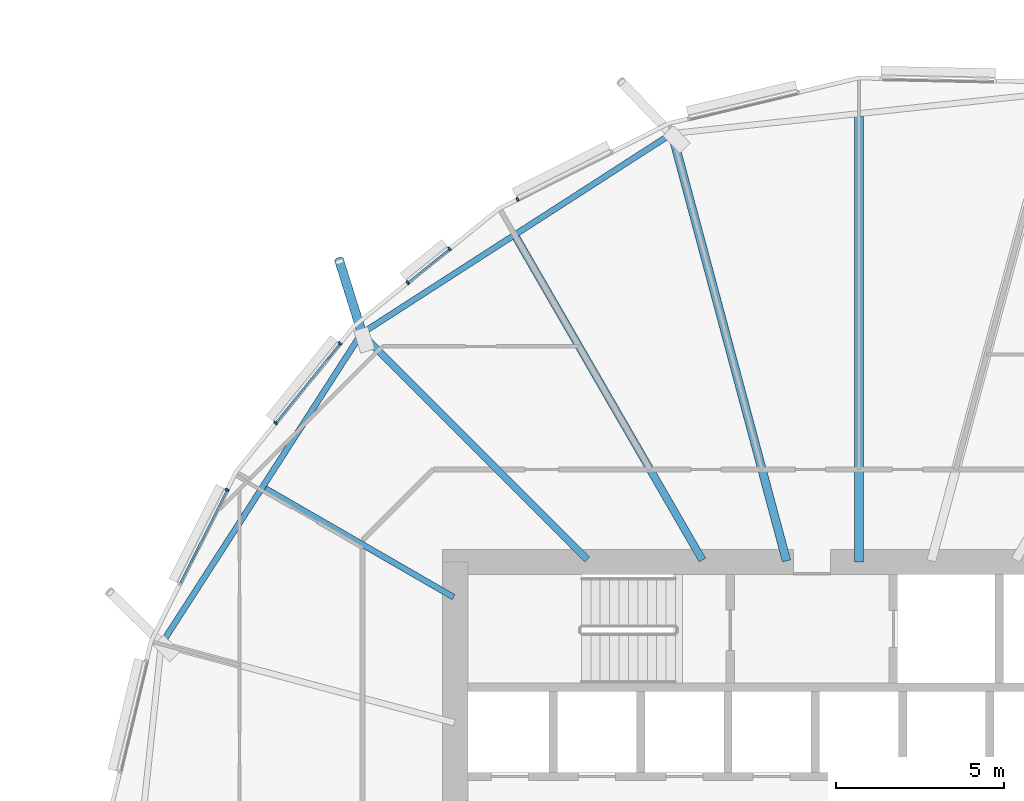
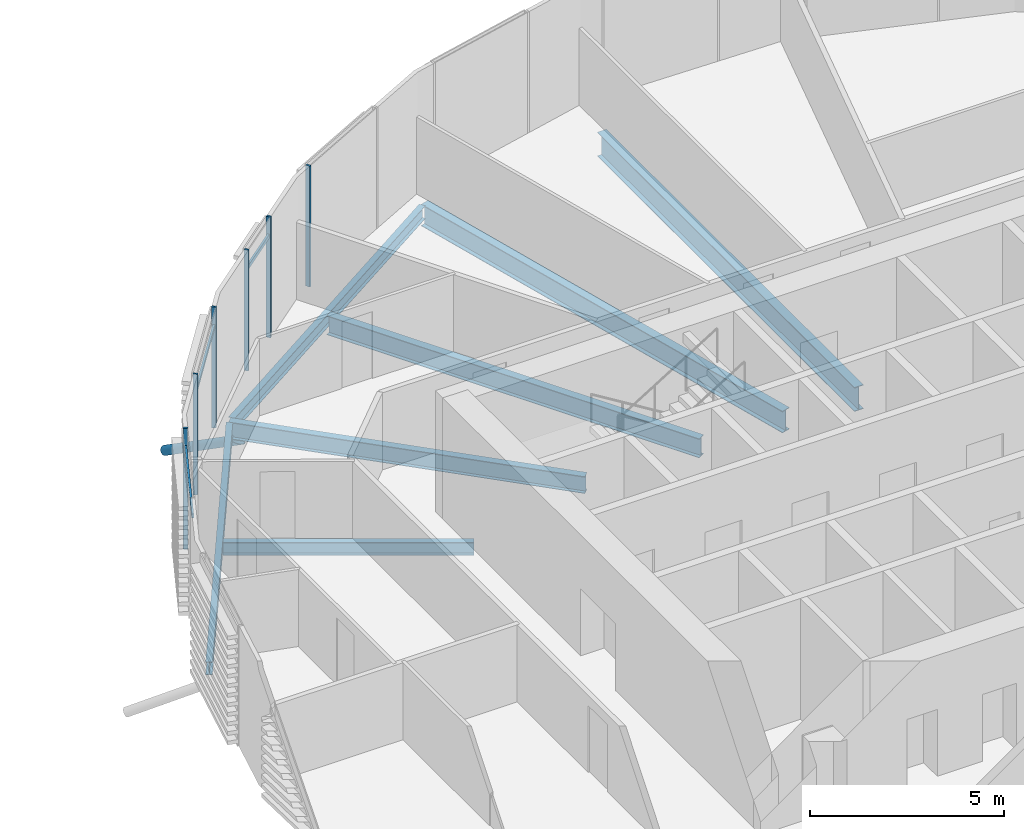
# One storey, part 17 of 43: 10 members, 7 beams, 1 element without a shape of its own.
"""IFC4 building model written with IfcOpenShell, lengths in metres."""

from ifc_helpers import new_model, si_unit, direction, frame, origin, origin_2d, place, context, subcontext, project, spatial, rectangle, hollow_circle, i_section, extrude, clip, halfspace, material, material_profile, profile_set, type_object, element, aggregate, save


model = new_model("IFC4")

# Units and contexts
model_context = context("Model", 3, precision=1e-05, world=origin(), true_north=direction((0.0, 1.0)))
body_context = subcontext(model_context, "Body", "Model", "MODEL_VIEW")
ifc_project = project(units=[si_unit("LENGTHUNIT", "METRE"), si_unit("AREAUNIT", "SQUARE_METRE"), si_unit("VOLUMEUNIT", "CUBIC_METRE"), si_unit("PLANEANGLEUNIT", "RADIAN"), si_unit("MASSUNIT", "GRAM", prefix="KILO")], contexts=[model_context])

# Site, building, storey
site_placement = place(None, origin())
site = spatial("IfcSite", under=ifc_project, at=site_placement, CompositionType="ELEMENT")
building_placement = place(site_placement, origin())
building = spatial("IfcBuilding", under=site, at=building_placement, Name="Rimbun Link Towers", CompositionType="ELEMENT")
storey_placement = place(building_placement, frame((0.0, 0.0, 81.60009765625)))
storey = spatial("IfcBuildingStorey", under=building, at=storey_placement, Name="L19", CompositionType="ELEMENT", Elevation=81.60009765625)

# Curtain wall, members
ifc_material_1 = material(Name="Aluminium 6063-T6 and low-iron glass", Category="aluminium")
curtain_wall_type = type_object("IfcCurtainWallType", Name="CW1-Z2 unitised vision wall (zone 2)", PredefinedType="NOTDEFINED", material=ifc_material_1)
curtain_wall_placement = place(storey_placement, origin())
curtain_wall = element("IfcCurtainWall", 1, at=curtain_wall_placement, inside=storey, type_object=curtain_wall_type, Name="CW1 L19 T2", PredefinedType="NOTDEFINED")
ifc_material_2 = material(Name="Aluminium 6063-T6", Category="aluminium")
ifc_material_profile_1 = material_profile(ifc_material_2, rectangle(XDim=0.1201171875, YDim=0.06005859375, at=origin_2d()), Name="MULLION 60X120")
ifc_profile_set_1 = profile_set([ifc_material_profile_1], Name="Aluminium 6063-T6")
member_type_1 = type_object("IfcMemberType", Name="CW1 mullion 60X120", PredefinedType="MULLION", material=ifc_profile_set_1)
member_1_placement = place(storey_placement, frame((21.603759765625, 18.779052734375, 0.0), z_axis=(0.0, 0.0, 1.0), x_axis=(-0.448789594585, 0.893637454336, 0.0)))
member_1 = element("IfcMember", 2, at=member_1_placement, type_object=member_type_1, Name="CW1 mullion", PredefinedType="MULLION", context=body_context, shape_type="SweptSolid", body=[
    extrude(rectangle(XDim=0.1201171875, YDim=0.06005859375, at=origin_2d()), origin(), (0.0, 0.0, 1.0), 3.7998046875),
])
member_2_placement = place(storey_placement, frame((18.339111328125, 16.302978515625, 0.0), z_axis=(0.0, 0.0, 1.0), x_axis=(-0.629159327388, 0.777276360608, 0.0)))
member_2 = element("IfcMember", 3, at=member_2_placement, type_object=member_type_1, Name="CW1 mullion", PredefinedType="MULLION", context=body_context, shape_type="SweptSolid", body=[
    extrude(rectangle(XDim=0.1201171875, YDim=0.06005859375, at=origin_2d()), origin(), (0.0, 0.0, 1.0), 3.7998046875),
])
member_3_placement = place(storey_placement, frame((19.579833984375, 17.307373046875, 0.0), z_axis=(0.0, 0.0, 1.0), x_axis=(-0.629159327388, 0.777276360608, 0.0)))
member_3 = element("IfcMember", 4, at=member_3_placement, type_object=member_type_1, Name="CW1 mullion", PredefinedType="MULLION", context=body_context, shape_type="SweptSolid", body=[
    extrude(rectangle(XDim=0.1201171875, YDim=0.06005859375, at=origin_2d()), origin(), (0.0, 0.0, 1.0), 3.7998046875),
])
member_4_placement = place(storey_placement, frame((14.4111328125, 12.13134765625, 0.0), z_axis=(0.0, 0.0, 1.0), x_axis=(-0.777276360608, 0.629159327388, 0.0)))
member_4 = element("IfcMember", 5, at=member_4_placement, type_object=member_type_1, Name="CW1 mullion", PredefinedType="MULLION", context=body_context, shape_type="SweptSolid", body=[
    extrude(rectangle(XDim=0.1201171875, YDim=0.06005859375, at=origin_2d()), origin(), (0.0, 0.0, 1.0), 3.7998046875),
])
member_5_placement = place(storey_placement, frame((16.327880859375, 14.4990234375, 0.0), z_axis=(0.0, 0.0, 1.0), x_axis=(-0.777276360608, 0.629159327388, 0.0)))
member_5 = element("IfcMember", 6, at=member_5_placement, type_object=member_type_1, Name="CW1 mullion", PredefinedType="MULLION", context=body_context, shape_type="SweptSolid", body=[
    extrude(rectangle(XDim=0.1201171875, YDim=0.06005859375, at=origin_2d()), origin(), (0.0, 0.0, 1.0), 3.7998046875),
])
member_6_placement = place(storey_placement, frame((12.970947265625, 10.146240234375, 0.0), z_axis=(0.0, 0.0, 1.0), x_axis=(-0.893637454336, 0.448789594585, 0.0)))
member_6 = element("IfcMember", 7, at=member_6_placement, type_object=member_type_1, Name="CW1 mullion", PredefinedType="MULLION", context=body_context, shape_type="SweptSolid", body=[
    extrude(rectangle(XDim=0.1201171875, YDim=0.06005859375, at=origin_2d()), origin(), (0.0, 0.0, 1.0), 3.7998046875),
])
ifc_material_3 = material(Name="Aluminium 6063-T6", Category="aluminium")
ifc_material_profile_2 = material_profile(ifc_material_3, rectangle(XDim=0.06005859375, YDim=0.1201171875, at=origin_2d()), Name="TRANSOM 60X120")
ifc_profile_set_2 = profile_set([ifc_material_profile_2], Name="Aluminium 6063-T6")
member_type_2 = type_object("IfcMemberType", Name="CW1 transom 60X120", PredefinedType="USERDEFINED", material=ifc_profile_set_2)
member_7_placement = place(storey_placement, frame((18.363525390625, 16.3203125, 3.199951171875), z_axis=(0.777337372411, 0.62908394468, 0.0), x_axis=(-0.62908394468, 0.777337372411, 0.0)))
member_7 = element("IfcMember", 8, at=member_7_placement, type_object=member_type_2, Name="CW1 transom", ObjectType="TRANSOM", PredefinedType="USERDEFINED", context=body_context, shape_type="SweptSolid", body=[
    extrude(rectangle(XDim=0.06005859375, YDim=0.1201171875, at=origin_2d()), origin(), (0.0, 0.0, 1.0), 1.536376953125),
])
member_8_placement = place(storey_placement, frame((14.431640625, 12.1533203125, 3.199951171875), z_axis=(0.629151193031, 0.77728294482, 0.0), x_axis=(-0.77728294482, 0.629151193031, 0.0)))
member_8 = element("IfcMember", 9, at=member_8_placement, type_object=member_type_2, Name="CW1 transom", ObjectType="TRANSOM", PredefinedType="USERDEFINED", context=body_context, shape_type="SweptSolid", body=[
    extrude(rectangle(XDim=0.06005859375, YDim=0.1201171875, at=origin_2d()), origin(), (0.0, 0.0, 1.0), 2.986328125),
])
member_9_placement = place(storey_placement, frame((11.58056640625, 7.373291015625, 3.199951171875), z_axis=(0.448770541337, 0.893647022727, 0.0), x_axis=(-0.893647022727, 0.448770541337, 0.0)))
member_9 = element("IfcMember", 10, at=member_9_placement, type_object=member_type_2, Name="CW1 transom", ObjectType="TRANSOM", PredefinedType="USERDEFINED", context=body_context, shape_type="SweptSolid", body=[
    extrude(rectangle(XDim=0.06005859375, YDim=0.1201171875, at=origin_2d()), origin(), (0.0, 0.0, 1.0), 3.072021484375),
])
aggregate(curtain_wall, [member_1, member_2, member_3, member_4, member_5, member_6, member_7, member_8, member_9])

# Member
ifc_material_4 = material(Name="Steel S355J2H", Category="steel")
ifc_material_profile_3 = material_profile(ifc_material_4, hollow_circle(Radius=0.136474609375, WallThickness=0.012451171875, at=origin_2d()), Name="CHS 273x12.5")
ifc_profile_set_3 = profile_set([ifc_material_profile_3], Name="Steel S355J2H")
member_type_3 = type_object("IfcMemberType", Name="Floor edge link CHS 273x12.5", PredefinedType="BRACE", material=ifc_profile_set_3)
member_10_placement = place(storey_placement, frame((16.99658203125, 14.75341796875, -0.809814453125), z_axis=(-0.256492528729, 0.817267889864, -0.516027885781), x_axis=(-0.954114885824, -0.29944078655, 0.0)))
element("IfcMember", 11, at=member_10_placement, inside=storey, type_object=member_type_3, Name="Floor edge link T2 L19 06", PredefinedType="BRACE", context=body_context, shape_type="Clipping", body=[
    clip(extrude(hollow_circle(Radius=0.136474609375, WallThickness=0.012451171875, at=origin_2d()), frame((0.0, 0.0, -0.472412109375)), (0.0, 0.0, 1.0), 3.200439453125), halfspace(frame((0.0, 0.0, -0.22216796875), z_axis=(0.0, 0.856571783971, -0.516027885781)), False)),
])

# Beams
ifc_material_5 = material(Name="Steel S355J2", Category="steel")
ifc_material_profile_4 = material_profile(ifc_material_5, i_section(OverallWidth=0.177978515625, OverallDepth=0.406494140625, WebThickness=0.0078125, FlangeThickness=0.0126953125, at=origin_2d()), Name="UB 406x178x60")
ifc_profile_set_4 = profile_set([ifc_material_profile_4], Name="Steel S355J2")
beam_type_1 = type_object("IfcBeamType", Name="UB 406x178x60", PredefinedType="BEAM", material=ifc_profile_set_4)
beam_1_placement = place(storey_placement, frame((19.70458984375, 6.954345703125, -0.36328125), z_axis=(-0.866015843605, 0.50001655835, 0.0), x_axis=(-0.50001655835, -0.866015843605, 0.0)))
element("IfcBeam", 12, at=beam_1_placement, inside=storey, type_object=beam_type_1, Name="Radial beam T2 L19 07", PredefinedType="BEAM", context=body_context, shape_type="SweptSolid", body=[
    extrude(i_section(OverallWidth=0.177978515625, OverallDepth=0.406494140625, WebThickness=0.0078125, FlangeThickness=0.0126953125, at=origin_2d()), origin(), (0.0, 0.0, 1.0), 6.467041015625),
])
beam_2_placement = place(storey_placement, frame((26.080810546875, 20.664306640625, -0.36328125), z_axis=(-0.840641870287, -0.541591401262, 0.0), x_axis=(0.541591401262, -0.840641870287, 0.0)))
element("IfcBeam", 13, at=beam_2_placement, inside=storey, type_object=beam_type_1, Name="Edge beam T2 L19 04-06", PredefinedType="BEAM", context=body_context, shape_type="SweptSolid", body=[
    extrude(i_section(OverallWidth=0.177978515625, OverallDepth=0.406494140625, WebThickness=0.0078125, FlangeThickness=0.0126953125, at=origin_2d()), origin(), (0.0, 0.0, 1.0), 10.740478515625),
])
beam_3_placement = place(storey_placement, frame((16.902587890625, 14.697998046875, -0.36328125), z_axis=(-0.541605976333, -0.840632479982, 0.0), x_axis=(0.840632479982, -0.541605976333, 0.0)))
element("IfcBeam", 14, at=beam_3_placement, inside=storey, type_object=beam_type_1, Name="Edge beam T2 L19 06-08", PredefinedType="BEAM", context=body_context, shape_type="SweptSolid", body=[
    extrude(i_section(OverallWidth=0.177978515625, OverallDepth=0.406494140625, WebThickness=0.0078125, FlangeThickness=0.0126953125, at=origin_2d()), origin(), (0.0, 0.0, 1.0), 10.77392578125),
])
ifc_material_6 = material(Name="Steel S355J2", Category="steel")
ifc_material_profile_5 = material_profile(ifc_material_6, i_section(OverallWidth=0.209228515625, OverallDepth=0.533203125, WebThickness=0.010009765625, FlangeThickness=0.015625, at=origin_2d()), Name="UB 533x210x92")
ifc_profile_set_5 = profile_set([ifc_material_profile_5], Name="Steel S355J2")
beam_type_2 = type_object("IfcBeamType", Name="UB 533x210x92", PredefinedType="BEAM", material=ifc_profile_set_5)
beam_4_placement = place(storey_placement, frame((23.67529296875, 8.07470703125, -0.426513671875), z_axis=(-0.707106781187, 0.707106781187, 0.0), x_axis=(-0.707106781187, -0.707106781187, 0.0)))
element("IfcBeam", 15, at=beam_4_placement, inside=storey, type_object=beam_type_2, Name="Radial beam T2 L19 06", PredefinedType="BEAM", context=body_context, shape_type="SweptSolid", body=[
    extrude(i_section(OverallWidth=0.209228515625, OverallDepth=0.533203125, WebThickness=0.010009765625, FlangeThickness=0.015625, at=origin_2d()), origin(), (0.0, 0.0, 1.0), 9.4951171875),
])
ifc_material_7 = material(Name="Steel S355J2", Category="steel")
ifc_material_profile_6 = material_profile(ifc_material_7, i_section(OverallWidth=0.2275390625, OverallDepth=0.6025390625, WebThickness=0.010498046875, FlangeThickness=0.014892578125, at=origin_2d()), Name="UB 610x229x101")
ifc_profile_set_6 = profile_set([ifc_material_profile_6], Name="Steel S355J2")
beam_type_3 = type_object("IfcBeamType", Name="UB 610x229x101", PredefinedType="BEAM", material=ifc_profile_set_6)
beam_5_placement = place(storey_placement, frame((27.097900390625, 8.057861328125, -0.46142578125), z_axis=(-0.500011955224, 0.866018501323, 0.0), x_axis=(-0.866018501323, -0.500011955224, 0.0)))
element("IfcBeam", 16, at=beam_5_placement, inside=storey, type_object=beam_type_3, Name="Radial beam T2 L19 05", PredefinedType="BEAM", context=body_context, shape_type="SweptSolid", body=[
    extrude(i_section(OverallWidth=0.2275390625, OverallDepth=0.6025390625, WebThickness=0.010498046875, FlangeThickness=0.014892578125, at=origin_2d()), origin(), (0.0, 0.0, 1.0), 11.071533203125),
])
ifc_material_8 = material(Name="Steel S355J2", Category="steel")
ifc_material_profile_7 = material_profile(ifc_material_8, i_section(OverallWidth=0.253662109375, OverallDepth=0.68359375, WebThickness=0.012451171875, FlangeThickness=0.01904296875, at=origin_2d()), Name="UB 686x254x140")
ifc_profile_set_7 = profile_set([ifc_material_profile_7], Name="Steel S355J2")
beam_type_4 = type_object("IfcBeamType", Name="UB 686x254x140", PredefinedType="BEAM", material=ifc_profile_set_7)
beam_6_placement = place(storey_placement, frame((29.597412109375, 8.03369140625, -0.501953125), z_axis=(-0.258815575349, 0.965926756, 0.0), x_axis=(-0.965926756, -0.258815575349, 0.0)))
element("IfcBeam", 17, at=beam_6_placement, inside=storey, type_object=beam_type_4, Name="Radial beam T2 L19 04", PredefinedType="BEAM", context=body_context, shape_type="SweptSolid", body=[
    extrude(i_section(OverallWidth=0.253662109375, OverallDepth=0.68359375, WebThickness=0.012451171875, FlangeThickness=0.01904296875, at=origin_2d()), origin(), (0.0, 0.0, 1.0), 13.1513671875),
])
ifc_material_9 = material(Name="Steel S355J2", Category="steel")
ifc_material_profile_8 = material_profile(ifc_material_9, i_section(OverallWidth=0.2666015625, OverallDepth=0.76220703125, WebThickness=0.014404296875, FlangeThickness=0.021484375, at=origin_2d()), Name="UB 762x267x173")
ifc_profile_set_8 = profile_set([ifc_material_profile_8], Name="Steel S355J2")
beam_type_5 = type_object("IfcBeamType", Name="UB 762x267x173", PredefinedType="BEAM", material=ifc_profile_set_8)
beam_7_placement = place(storey_placement, frame((31.75, 8.0009765625, -0.541259765625), z_axis=(0.0, 1.0, 0.0), x_axis=(-1.0, 0.0, 0.0)))
element("IfcBeam", 18, at=beam_7_placement, inside=storey, type_object=beam_type_5, Name="Radial beam T2 L19 03", PredefinedType="BEAM", context=body_context, shape_type="SweptSolid", body=[
    extrude(i_section(OverallWidth=0.2666015625, OverallDepth=0.76220703125, WebThickness=0.014404296875, FlangeThickness=0.021484375, at=origin_2d()), origin(), (0.0, 0.0, 1.0), 13.23681640625),
])

save(model, "model.ifc")
